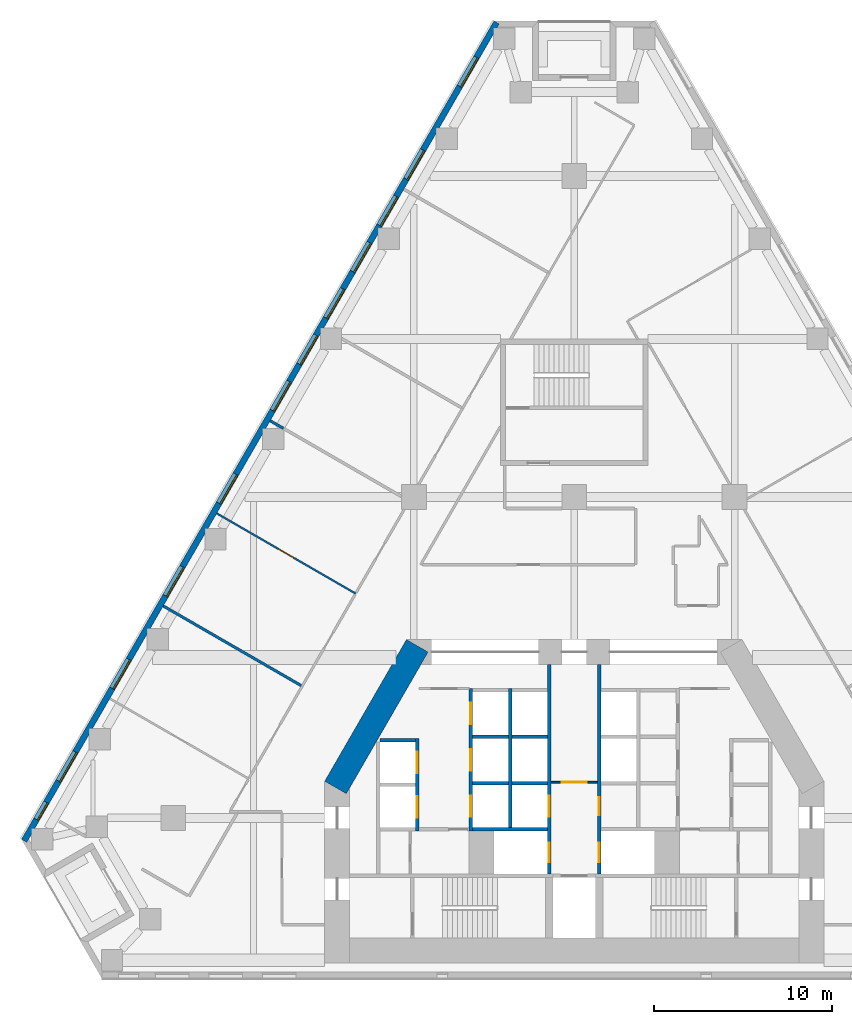
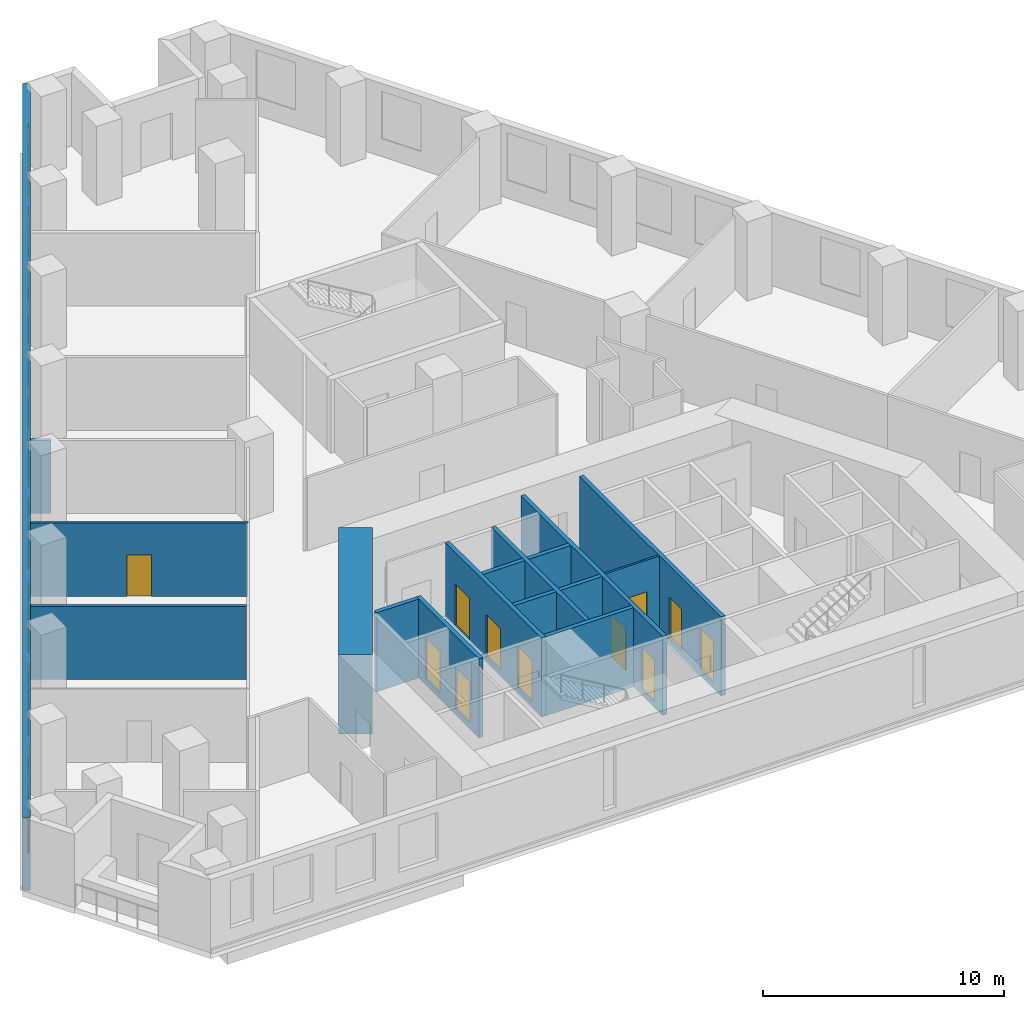
# One storey, part 4 of 9: 17 walls, 12 windows, 11 doors, 23 openings.
"""IFC4 building model written with IfcOpenShell, lengths in metres."""

from ifc_helpers import new_model, si_unit, direction, frame, frame_2d, origin, place, context, subcontext, project, spatial, rectangle, extrude, material, layer, layer_set, type_object, element, fill, save


model = new_model("IFC4")

# Units and contexts
model_context = context("Model", 3, precision=1e-05, world=origin(), true_north=direction((0.0, 1.0)))
body_context = subcontext(model_context, "Body", "Model", "MODEL_VIEW")
ifc_project = project(units=[si_unit("LENGTHUNIT", "METRE"), si_unit("AREAUNIT", "SQUARE_METRE"), si_unit("VOLUMEUNIT", "CUBIC_METRE"), si_unit("PLANEANGLEUNIT", "RADIAN"), si_unit("MASSUNIT", "GRAM", prefix="KILO")], contexts=[model_context])

# Site, building, storey
site_placement = place(None, origin())
site = spatial("IfcSite", under=ifc_project, at=site_placement, CompositionType="ELEMENT")
building_placement = place(site_placement, origin())
building = spatial("IfcBuilding", under=site, at=building_placement, Name="Fogline Exchange Tower", CompositionType="ELEMENT")
storey_placement = place(building_placement, frame((0.0, 0.0, 76.89990234375)))
storey = spatial("IfcBuildingStorey", under=building, at=storey_placement, Name="L16", CompositionType="ELEMENT", Elevation=76.89990234375)

# Wall, opening, door
ifc_material_1 = material(Name="Blockwork partition", Category="masonry")
ifc_layer_1 = layer(ifc_material_1, 0.10009765625)
ifc_layer_set_1 = layer_set([ifc_layer_1], Name="CW10")
wall_type_1 = type_object("IfcWallType", Name="CW10", PredefinedType="PARTITIONING", material=ifc_layer_set_1)
wall_1_placement = place(storey_placement, frame((-1.300048828125, 11.0, 0.0), z_axis=(0.0, 0.0, 1.0), x_axis=(1.0, 0.0, 0.0)))
wall_1 = element("IfcWall", 1, at=wall_1_placement, inside=storey, type_object=wall_type_1, Name="Lift lobby partition", PredefinedType="PARTITIONING", context=body_context, shape_type="SweptSolid", body=[
    extrude(rectangle(XDim=2.60009765625, YDim=0.10009765625, at=frame_2d((1.300048828125, 0.0))), origin(), (0.0, 0.0, 1.0), 3.7001953125),
])
opening_1_placement = place(wall_1_placement, frame((0.60009765625, 0.0, 0.0)))
opening_1 = element("IfcOpeningElement", 2, at=opening_1_placement, cuts=wall_1, Name="Opening T05-C019", PredefinedType="OPENING", context=body_context, shape_type="SweptSolid", body=[
    extrude(rectangle(XDim=1.39990234375, YDim=2.10009765625, at=frame_2d((0.699951171875, 1.050048828125))), frame((0.0, 0.06005859375, 0.0), z_axis=(0.0, -1.0, 0.0), x_axis=(1.0, 0.0, 0.0)), (0.0, 0.0, 1.0), 0.1201171875),
])
ifc_material_2 = material(Name="Steel and timber fire door", Category="steel")
door_type_1 = type_object("IfcDoorType", Name="D-LB1", OperationType="DOUBLE_DOOR_SINGLE_SWING", PredefinedType="DOOR", material=ifc_material_2)
door_1_placement = place(opening_1_placement, frame((1.39990234375, 0.0, 0.0), z_axis=(0.0, 0.0, 1.0), x_axis=(-1.0, 0.0, 0.0)))
door_1 = element("IfcDoor", 3, at=door_1_placement, inside=storey, type_object=door_type_1, Name="Door to firefighting lift lobby", OperationType="DOUBLE_DOOR_SINGLE_SWING", OverallHeight=2.10009765625, OverallWidth=1.39990234375, PredefinedType="DOOR", context=body_context, shape_type="SweptSolid", body=[
    extrude(rectangle(XDim=1.39990234375, YDim=2.10009765625, at=frame_2d((0.699951171875, 1.050048828125))), frame((0.0, 0.02490234375, 0.0), z_axis=(0.0, -1.0, 0.0), x_axis=(1.0, 0.0, 0.0)), (0.0, 0.0, 1.0), 0.050048828125),
])
fill(opening_1, door_1)

# Wall, openings, doors
ifc_material_3 = material(Name="Concrete C40", Category="concrete")
ifc_layer_2 = layer(ifc_material_3, 0.199951171875)
ifc_layer_set_2 = layer_set([ifc_layer_2], Name="CW20S")
wall_type_2 = type_object("IfcWallType", Name="CW20S", PredefinedType="SOLIDWALL", material=ifc_layer_set_2)
wall_2_placement = place(storey_placement, frame((-8.800048828125, 8.25, -0.2998046875), z_axis=(0.0, 0.0, 1.0), x_axis=(0.0, 1.0, 0.0)))
wall_2 = element("IfcWall", 4, at=wall_2_placement, inside=storey, type_object=wall_type_2, Name="Lift shaft wall", PredefinedType="SOLIDWALL", context=body_context, shape_type="SweptSolid", body=[
    extrude(rectangle(XDim=5.199951171875, YDim=0.199951171875, at=frame_2d((2.60009765625, 0.0))), origin(), (0.0, 0.0, 1.0), 4.0),
])
opening_2_placement = place(wall_2_placement, frame((0.75, 0.0, 0.300048828125)))
opening_2 = element("IfcOpeningElement", 5, at=opening_2_placement, cuts=wall_2, Name="Opening T05-LD01", PredefinedType="OPENING", context=body_context, shape_type="SweptSolid", body=[
    extrude(rectangle(XDim=1.199951171875, YDim=2.10009765625, at=frame_2d((0.60009765625, 1.050048828125))), frame((0.0, 0.10986328125, 0.0), z_axis=(0.0, -1.0, 0.0), x_axis=(1.0, 0.0, 0.0)), (0.0, 0.0, 1.0), 0.219970703125),
])
opening_3_placement = place(wall_2_placement, frame((3.25, 0.0, 0.300048828125)))
opening_3 = element("IfcOpeningElement", 6, at=opening_3_placement, cuts=wall_2, Name="Opening T05-LD02", PredefinedType="OPENING", context=body_context, shape_type="SweptSolid", body=[
    extrude(rectangle(XDim=1.199951171875, YDim=2.10009765625, at=frame_2d((0.60009765625, 1.050048828125))), frame((0.0, 0.10986328125, 0.0), z_axis=(0.0, -1.0, 0.0), x_axis=(1.0, 0.0, 0.0)), (0.0, 0.0, 1.0), 0.219970703125),
])
door_type_2 = type_object("IfcDoorType", Name="LD1", OperationType="SLIDING_TO_LEFT", PredefinedType="DOOR", material=ifc_material_2)
door_2_placement = place(opening_2_placement, origin())
door_2 = element("IfcDoor", 7, at=door_2_placement, inside=storey, type_object=door_type_2, Name="Landing door LR1", OperationType="SLIDING_TO_LEFT", OverallHeight=2.10009765625, OverallWidth=1.199951171875, PredefinedType="DOOR", context=body_context, shape_type="SweptSolid", body=[
    extrude(rectangle(XDim=1.199951171875, YDim=2.10009765625, at=frame_2d((0.60009765625, 1.050048828125))), frame((0.0, 0.02490234375, 0.0), z_axis=(0.0, -1.0, 0.0), x_axis=(1.0, 0.0, 0.0)), (0.0, 0.0, 1.0), 0.050048828125),
])
fill(opening_2, door_2)
door_3_placement = place(opening_3_placement, origin())
door_3 = element("IfcDoor", 8, at=door_3_placement, inside=storey, type_object=door_type_2, Name="Landing door LR2", OperationType="SLIDING_TO_LEFT", OverallHeight=2.10009765625, OverallWidth=1.199951171875, PredefinedType="DOOR", context=body_context, shape_type="SweptSolid", body=[
    extrude(rectangle(XDim=1.199951171875, YDim=2.10009765625, at=frame_2d((0.60009765625, 1.050048828125))), frame((0.0, 0.02490234375, 0.0), z_axis=(0.0, -1.0, 0.0), x_axis=(1.0, 0.0, 0.0)), (0.0, 0.0, 1.0), 0.050048828125),
])
fill(opening_3, door_3)

wall_3_placement = place(storey_placement, frame((-5.800048828125, 8.25, -0.2998046875), z_axis=(0.0, 0.0, 1.0), x_axis=(0.0, 1.0, 0.0)))
wall_3 = element("IfcWall", 9, at=wall_3_placement, inside=storey, type_object=wall_type_2, Name="Lift shaft wall", PredefinedType="SOLIDWALL", context=body_context, shape_type="SweptSolid", body=[
    extrude(rectangle(XDim=8.0, YDim=0.199951171875, at=frame_2d((4.0, 0.0))), origin(), (0.0, 0.0, 1.0), 4.0),
])
opening_4_placement = place(wall_3_placement, frame((0.800048828125, 0.0, 0.300048828125)))
opening_4 = element("IfcOpeningElement", 10, at=opening_4_placement, cuts=wall_3, Name="Opening T05-LD03", PredefinedType="OPENING", context=body_context, shape_type="SweptSolid", body=[
    extrude(rectangle(XDim=1.199951171875, YDim=2.10009765625, at=frame_2d((0.60009765625, 1.050048828125))), frame((0.0, 0.10986328125, 0.0), z_axis=(0.0, -1.0, 0.0), x_axis=(1.0, 0.0, 0.0)), (0.0, 0.0, 1.0), 0.219970703125),
])
opening_5_placement = place(wall_3_placement, frame((3.39990234375, 0.0, 0.300048828125)))
opening_5 = element("IfcOpeningElement", 11, at=opening_5_placement, cuts=wall_3, Name="Opening T05-LD04", PredefinedType="OPENING", context=body_context, shape_type="SweptSolid", body=[
    extrude(rectangle(XDim=1.199951171875, YDim=2.10009765625, at=frame_2d((0.60009765625, 1.050048828125))), frame((0.0, 0.10986328125, 0.0), z_axis=(0.0, -1.0, 0.0), x_axis=(1.0, 0.0, 0.0)), (0.0, 0.0, 1.0), 0.219970703125),
])
opening_6_placement = place(wall_3_placement, frame((6.0, 0.0, 0.300048828125)))
opening_6 = element("IfcOpeningElement", 12, at=opening_6_placement, cuts=wall_3, Name="Opening T05-LD05", PredefinedType="OPENING", context=body_context, shape_type="SweptSolid", body=[
    extrude(rectangle(XDim=1.199951171875, YDim=2.10009765625, at=frame_2d((0.60009765625, 1.050048828125))), frame((0.0, 0.10986328125, 0.0), z_axis=(0.0, -1.0, 0.0), x_axis=(1.0, 0.0, 0.0)), (0.0, 0.0, 1.0), 0.219970703125),
])
door_4_placement = place(opening_4_placement, origin())
door_4 = element("IfcDoor", 13, at=door_4_placement, inside=storey, type_object=door_type_2, Name="Landing door LR3", OperationType="SLIDING_TO_LEFT", OverallHeight=2.10009765625, OverallWidth=1.199951171875, PredefinedType="DOOR", context=body_context, shape_type="SweptSolid", body=[
    extrude(rectangle(XDim=1.199951171875, YDim=2.10009765625, at=frame_2d((0.60009765625, 1.050048828125))), frame((0.0, 0.02490234375, 0.0), z_axis=(0.0, -1.0, 0.0), x_axis=(1.0, 0.0, 0.0)), (0.0, 0.0, 1.0), 0.050048828125),
])
fill(opening_4, door_4)
door_5_placement = place(opening_5_placement, origin())
door_5 = element("IfcDoor", 14, at=door_5_placement, inside=storey, type_object=door_type_2, Name="Landing door LR4", OperationType="SLIDING_TO_LEFT", OverallHeight=2.10009765625, OverallWidth=1.199951171875, PredefinedType="DOOR", context=body_context, shape_type="SweptSolid", body=[
    extrude(rectangle(XDim=1.199951171875, YDim=2.10009765625, at=frame_2d((0.60009765625, 1.050048828125))), frame((0.0, 0.02490234375, 0.0), z_axis=(0.0, -1.0, 0.0), x_axis=(1.0, 0.0, 0.0)), (0.0, 0.0, 1.0), 0.050048828125),
])
fill(opening_5, door_5)
door_6_placement = place(opening_6_placement, origin())
door_6 = element("IfcDoor", 15, at=door_6_placement, inside=storey, type_object=door_type_2, Name="Landing door LR5", OperationType="SLIDING_TO_LEFT", OverallHeight=2.10009765625, OverallWidth=1.199951171875, PredefinedType="DOOR", context=body_context, shape_type="SweptSolid", body=[
    extrude(rectangle(XDim=1.199951171875, YDim=2.10009765625, at=frame_2d((0.60009765625, 1.050048828125))), frame((0.0, 0.02490234375, 0.0), z_axis=(0.0, -1.0, 0.0), x_axis=(1.0, 0.0, 0.0)), (0.0, 0.0, 1.0), 0.050048828125),
])
fill(opening_6, door_6)

# Wall
wall_4_placement = place(storey_placement, frame((-3.60009765625, 8.449951171875, -0.2998046875), z_axis=(0.0, 0.0, 1.0), x_axis=(0.0, 1.0, 0.0)))
element("IfcWall", 16, at=wall_4_placement, inside=storey, type_object=wall_type_2, Name="Lift shaft wall", PredefinedType="SOLIDWALL", context=body_context, shape_type="SweptSolid", body=[
    extrude(rectangle(XDim=7.800048828125, YDim=0.199951171875, at=frame_2d((3.89990234375, 0.0))), origin(), (0.0, 0.0, 1.0), 4.0),
])

# Wall, openings, doors
wall_5_placement = place(storey_placement, frame((-1.39990234375, 5.85009765625, -0.2998046875), z_axis=(0.0, 0.0, 1.0), x_axis=(0.0, 1.0, 0.0)))
wall_5 = element("IfcWall", 17, at=wall_5_placement, inside=storey, type_object=wall_type_2, Name="Lift lobby wall", PredefinedType="SOLIDWALL", context=body_context, shape_type="SweptSolid", body=[
    extrude(rectangle(XDim=11.75, YDim=0.199951171875, at=frame_2d((5.875, 0.0))), origin(), (0.0, 0.0, 1.0), 4.0),
])
opening_7_placement = place(wall_5_placement, frame((3.199951171875, 0.0, 0.300048828125)))
opening_7 = element("IfcOpeningElement", 18, at=opening_7_placement, cuts=wall_5, Name="Opening T05-LD06", PredefinedType="OPENING", context=body_context, shape_type="SweptSolid", body=[
    extrude(rectangle(XDim=1.199951171875, YDim=2.10009765625, at=frame_2d((0.60009765625, 1.050048828125))), frame((0.0, 0.10986328125, 0.0), z_axis=(0.0, -1.0, 0.0), x_axis=(1.0, 0.0, 0.0)), (0.0, 0.0, 1.0), 0.219970703125),
])
opening_8_placement = place(wall_5_placement, frame((0.64990234375, 0.0, 0.300048828125)))
opening_8 = element("IfcOpeningElement", 19, at=opening_8_placement, cuts=wall_5, Name="Opening T05-LD07", PredefinedType="OPENING", context=body_context, shape_type="SweptSolid", body=[
    extrude(rectangle(XDim=1.10009765625, YDim=2.10009765625, at=frame_2d((0.550048828125, 1.050048828125))), frame((0.0, 0.10986328125, 0.0), z_axis=(0.0, -1.0, 0.0), x_axis=(1.0, 0.0, 0.0)), (0.0, 0.0, 1.0), 0.219970703125),
])
door_7_placement = place(opening_7_placement, origin())
door_7 = element("IfcDoor", 20, at=door_7_placement, inside=storey, type_object=door_type_2, Name="Landing door LR6", OperationType="SLIDING_TO_LEFT", OverallHeight=2.10009765625, OverallWidth=1.199951171875, PredefinedType="DOOR", context=body_context, shape_type="SweptSolid", body=[
    extrude(rectangle(XDim=1.199951171875, YDim=2.10009765625, at=frame_2d((0.60009765625, 1.050048828125))), frame((0.0, 0.02490234375, 0.0), z_axis=(0.0, -1.0, 0.0), x_axis=(1.0, 0.0, 0.0)), (0.0, 0.0, 1.0), 0.050048828125),
])
fill(opening_7, door_7)
door_type_3 = type_object("IfcDoorType", Name="LD2", OperationType="SLIDING_TO_RIGHT", PredefinedType="DOOR", material=ifc_material_2)
door_8_placement = place(opening_8_placement, origin())
door_8 = element("IfcDoor", 21, at=door_8_placement, inside=storey, type_object=door_type_3, Name="Landing door FF1", OperationType="SLIDING_TO_RIGHT", OverallHeight=2.10009765625, OverallWidth=1.10009765625, PredefinedType="DOOR", context=body_context, shape_type="SweptSolid", body=[
    extrude(rectangle(XDim=1.10009765625, YDim=2.10009765625, at=frame_2d((0.550048828125, 1.050048828125))), frame((0.0, 0.02490234375, 0.0), z_axis=(0.0, -1.0, 0.0), x_axis=(1.0, 0.0, 0.0)), (0.0, 0.0, 1.0), 0.050048828125),
])
fill(opening_8, door_8)

wall_6_placement = place(storey_placement, frame((1.39990234375, 5.85009765625, -0.2998046875), z_axis=(0.0, 0.0, 1.0), x_axis=(0.0, 1.0, 0.0)))
wall_6 = element("IfcWall", 22, at=wall_6_placement, inside=storey, type_object=wall_type_2, Name="Lift lobby wall", PredefinedType="SOLIDWALL", context=body_context, shape_type="SweptSolid", body=[
    extrude(rectangle(XDim=11.75, YDim=0.199951171875, at=frame_2d((5.875, 0.0))), origin(), (0.0, 0.0, 1.0), 4.0),
])
opening_9_placement = place(wall_6_placement, frame((0.64990234375, 0.0, 0.300048828125)))
opening_9 = element("IfcOpeningElement", 23, at=opening_9_placement, cuts=wall_6, Name="Opening T05-LD08", PredefinedType="OPENING", context=body_context, shape_type="SweptSolid", body=[
    extrude(rectangle(XDim=1.10009765625, YDim=2.10009765625, at=frame_2d((0.550048828125, 1.050048828125))), frame((0.0, 0.10986328125, 0.0), z_axis=(0.0, -1.0, 0.0), x_axis=(1.0, 0.0, 0.0)), (0.0, 0.0, 1.0), 0.219970703125),
])
opening_10_placement = place(wall_6_placement, frame((3.300048828125, 0.0, 0.300048828125)))
opening_10 = element("IfcOpeningElement", 24, at=opening_10_placement, cuts=wall_6, Name="Opening T05-C006", PredefinedType="OPENING", context=body_context, shape_type="SweptSolid", body=[
    extrude(rectangle(XDim=1.0, YDim=2.10009765625, at=frame_2d((0.5, 1.050048828125))), frame((0.0, 0.10986328125, 0.0), z_axis=(0.0, -1.0, 0.0), x_axis=(1.0, 0.0, 0.0)), (0.0, 0.0, 1.0), 0.219970703125),
])
door_type_4 = type_object("IfcDoorType", Name="D-RM1", OperationType="SINGLE_SWING_LEFT", PredefinedType="DOOR", material=ifc_material_2)
door_9_placement = place(opening_10_placement, frame((1.0, 0.0, 0.0), z_axis=(0.0, 0.0, 1.0), x_axis=(-1.0, 0.0, 0.0)))
door_9 = element("IfcDoor", 25, at=door_9_placement, inside=storey, type_object=door_type_4, Name="Door to Riser Room", OperationType="SINGLE_SWING_RIGHT", OverallHeight=2.10009765625, OverallWidth=1.0, PredefinedType="DOOR", context=body_context, shape_type="SweptSolid", body=[
    extrude(rectangle(XDim=1.0, YDim=2.10009765625, at=frame_2d((0.5, 1.050048828125))), frame((0.0, 0.02490234375, 0.0), z_axis=(0.0, -1.0, 0.0), x_axis=(1.0, 0.0, 0.0)), (0.0, 0.0, 1.0), 0.050048828125),
])
fill(opening_10, door_9)
door_10_placement = place(opening_9_placement, origin())
door_10 = element("IfcDoor", 26, at=door_10_placement, inside=storey, type_object=door_type_3, Name="Landing door FF2", OperationType="SLIDING_TO_RIGHT", OverallHeight=2.10009765625, OverallWidth=1.10009765625, PredefinedType="DOOR", context=body_context, shape_type="SweptSolid", body=[
    extrude(rectangle(XDim=1.10009765625, YDim=2.10009765625, at=frame_2d((0.550048828125, 1.050048828125))), frame((0.0, 0.02490234375, 0.0), z_axis=(0.0, -1.0, 0.0), x_axis=(1.0, 0.0, 0.0)), (0.0, 0.0, 1.0), 0.050048828125),
])
fill(opening_9, door_10)

# Walls
wall_7_placement = place(storey_placement, frame((-5.699951171875, 8.35009765625, -0.2998046875), z_axis=(0.0, 0.0, 1.0), x_axis=(1.0, 0.0, 0.0)))
element("IfcWall", 27, at=wall_7_placement, inside=storey, type_object=wall_type_2, Name="Lift shaft wall", PredefinedType="SOLIDWALL", context=body_context, shape_type="SweptSolid", body=[
    extrude(rectangle(XDim=4.199951171875, YDim=0.199951171875, at=frame_2d((2.10009765625, 0.0))), origin(), (0.0, 0.0, 1.0), 4.0),
])
for number, where, z_axis, x_axis, name in (
    (28, (-10.89990234375, 13.35009765625, -0.2998046875), (0.0, 0.0, 1.0), (1.0, 0.0, 0.0), "Lift shaft wall"),
    (29, (-5.699951171875, 10.949951171875, -0.2998046875), (0.0, 0.0, 1.0), (1.0, 0.0, 0.0), "Lift shaft wall"),
    (30, (-5.699951171875, 13.550048828125, -0.2998046875), (0.0, 0.0, 1.0), (1.0, 0.0, 0.0), "Lift shaft wall"),
    (31, (-3.5, 10.949951171875, -0.2998046875), (0.0, 0.0, 1.0), (1.0, 0.0, 0.0), "Lift shaft wall"),
    (32, (-3.5, 13.550048828125, -0.2998046875), (0.0, 0.0, 1.0), (1.0, 0.0, 0.0), "Lift shaft wall"),
):
    element("IfcWall", number, at=place(storey_placement, frame(where, z_axis=z_axis, x_axis=x_axis)), inside=storey, type_object=wall_type_2, Name=name, PredefinedType="SOLIDWALL", context=body_context, shape_type="SweptSolid", body=[
        extrude(rectangle(XDim=2.0, YDim=0.199951171875, at=frame_2d((1.0, 0.0))), origin(), (0.0, 0.0, 1.0), 4.0),
    ])

# Wall, openings, windows
ifc_material_4 = material(Name="Brick masonry", Category="masonry")
ifc_layer_3 = layer(ifc_material_4, 0.340087890625)
ifc_layer_set_3 = layer_set([ifc_layer_3], Name="FW1")
wall_type_3 = type_object("IfcWallType", Name="FW1", PredefinedType="SOLIDWALL", material=ifc_layer_set_3)
wall_8_placement = place(storey_placement, frame((-4.352783203125, 53.626708984375, 0.0), z_axis=(0.0, 0.0, 1.0), x_axis=(-0.500000400847, -0.866025172355, 0.0)))
wall_8 = element("IfcWall", 33, at=wall_8_placement, inside=storey, type_object=wall_type_3, Name="Brick wall L16 W", PredefinedType="SOLIDWALL", context=body_context, shape_type="SweptSolid", body=[
    extrude(rectangle(XDim=53.02099609375, YDim=0.340087890625, at=frame_2d((26.510498046875, 0.0))), origin(), (0.0, 0.0, 1.0), 3.7001953125),
])
opening_11_placement = place(wall_8_placement, frame((2.265625, 0.0, 0.89990234375)))
opening_11 = element("IfcOpeningElement", 34, at=opening_11_placement, cuts=wall_8, Name="Opening W1", PredefinedType="OPENING", context=body_context, shape_type="SweptSolid", body=[
    extrude(rectangle(XDim=1.885009765625, YDim=2.39990234375, at=frame_2d((0.9423828125, 1.199951171875))), frame((0.0, 0.18017578125, 0.0), z_axis=(0.0, -1.0, 0.0), x_axis=(1.0, 0.0, 0.0)), (0.0, 0.0, 1.0), 0.360107421875),
])
opening_12_placement = place(wall_8_placement, frame((8.265625, 0.0, 0.89990234375)))
opening_12 = element("IfcOpeningElement", 35, at=opening_12_placement, cuts=wall_8, Name="Opening W1", PredefinedType="OPENING", context=body_context, shape_type="SweptSolid", body=[
    extrude(rectangle(XDim=1.885009765625, YDim=2.39990234375, at=frame_2d((0.9423828125, 1.199951171875))), frame((0.0, 0.18017578125, 0.0), z_axis=(0.0, -1.0, 0.0), x_axis=(1.0, 0.0, 0.0)), (0.0, 0.0, 1.0), 0.360107421875),
])
opening_13_placement = place(wall_8_placement, frame((11.265625, 0.0, 0.89990234375)))
opening_13 = element("IfcOpeningElement", 36, at=opening_13_placement, cuts=wall_8, Name="Opening W1", PredefinedType="OPENING", context=body_context, shape_type="SweptSolid", body=[
    extrude(rectangle(XDim=1.885009765625, YDim=2.39990234375, at=frame_2d((0.9423828125, 1.199951171875))), frame((0.0, 0.18017578125, 0.0), z_axis=(0.0, -1.0, 0.0), x_axis=(1.0, 0.0, 0.0)), (0.0, 0.0, 1.0), 0.360107421875),
])
opening_14_placement = place(wall_8_placement, frame((14.265625, 0.0, 0.89990234375)))
opening_14 = element("IfcOpeningElement", 37, at=opening_14_placement, cuts=wall_8, Name="Opening W1", PredefinedType="OPENING", context=body_context, shape_type="SweptSolid", body=[
    extrude(rectangle(XDim=1.885009765625, YDim=2.39990234375, at=frame_2d((0.9423828125, 1.199951171875))), frame((0.0, 0.18017578125, 0.0), z_axis=(0.0, -1.0, 0.0), x_axis=(1.0, 0.0, 0.0)), (0.0, 0.0, 1.0), 0.360107421875),
])
opening_15_placement = place(wall_8_placement, frame((17.265625, 0.0, 0.89990234375)))
opening_15 = element("IfcOpeningElement", 38, at=opening_15_placement, cuts=wall_8, Name="Opening W1", PredefinedType="OPENING", context=body_context, shape_type="SweptSolid", body=[
    extrude(rectangle(XDim=1.885009765625, YDim=2.39990234375, at=frame_2d((0.9423828125, 1.199951171875))), frame((0.0, 0.18017578125, 0.0), z_axis=(0.0, -1.0, 0.0), x_axis=(1.0, 0.0, 0.0)), (0.0, 0.0, 1.0), 0.360107421875),
])
opening_16_placement = place(wall_8_placement, frame((20.265625, 0.0, 0.89990234375)))
opening_16 = element("IfcOpeningElement", 39, at=opening_16_placement, cuts=wall_8, Name="Opening W1", PredefinedType="OPENING", context=body_context, shape_type="SweptSolid", body=[
    extrude(rectangle(XDim=1.885009765625, YDim=2.39990234375, at=frame_2d((0.9423828125, 1.199951171875))), frame((0.0, 0.18017578125, 0.0), z_axis=(0.0, -1.0, 0.0), x_axis=(1.0, 0.0, 0.0)), (0.0, 0.0, 1.0), 0.360107421875),
])
opening_17_placement = place(wall_8_placement, frame((23.265625, 0.0, 0.89990234375)))
opening_17 = element("IfcOpeningElement", 40, at=opening_17_placement, cuts=wall_8, Name="Opening W1", PredefinedType="OPENING", context=body_context, shape_type="SweptSolid", body=[
    extrude(rectangle(XDim=1.885009765625, YDim=2.39990234375, at=frame_2d((0.9423828125, 1.199951171875))), frame((0.0, 0.18017578125, 0.0), z_axis=(0.0, -1.0, 0.0), x_axis=(1.0, 0.0, 0.0)), (0.0, 0.0, 1.0), 0.360107421875),
])
opening_18_placement = place(wall_8_placement, frame((29.265625, 0.0, 0.89990234375)))
opening_18 = element("IfcOpeningElement", 41, at=opening_18_placement, cuts=wall_8, Name="Opening W1", PredefinedType="OPENING", context=body_context, shape_type="SweptSolid", body=[
    extrude(rectangle(XDim=1.885009765625, YDim=2.39990234375, at=frame_2d((0.9423828125, 1.199951171875))), frame((0.0, 0.18017578125, 0.0), z_axis=(0.0, -1.0, 0.0), x_axis=(1.0, 0.0, 0.0)), (0.0, 0.0, 1.0), 0.360107421875),
])
opening_19_placement = place(wall_8_placement, frame((35.265625, 0.0, 0.89990234375)))
opening_19 = element("IfcOpeningElement", 42, at=opening_19_placement, cuts=wall_8, Name="Opening W1", PredefinedType="OPENING", context=body_context, shape_type="SweptSolid", body=[
    extrude(rectangle(XDim=1.885009765625, YDim=2.39990234375, at=frame_2d((0.9423828125, 1.199951171875))), frame((0.0, 0.18017578125, 0.0), z_axis=(0.0, -1.0, 0.0), x_axis=(1.0, 0.0, 0.0)), (0.0, 0.0, 1.0), 0.360107421875),
])
opening_20_placement = place(wall_8_placement, frame((41.265625, 0.0, 0.89990234375)))
opening_20 = element("IfcOpeningElement", 43, at=opening_20_placement, cuts=wall_8, Name="Opening W1", PredefinedType="OPENING", context=body_context, shape_type="SweptSolid", body=[
    extrude(rectangle(XDim=1.885009765625, YDim=2.39990234375, at=frame_2d((0.9423828125, 1.199951171875))), frame((0.0, 0.18017578125, 0.0), z_axis=(0.0, -1.0, 0.0), x_axis=(1.0, 0.0, 0.0)), (0.0, 0.0, 1.0), 0.360107421875),
])
opening_21_placement = place(wall_8_placement, frame((47.265625, 0.0, 0.89990234375)))
opening_21 = element("IfcOpeningElement", 44, at=opening_21_placement, cuts=wall_8, Name="Opening W1", PredefinedType="OPENING", context=body_context, shape_type="SweptSolid", body=[
    extrude(rectangle(XDim=1.885009765625, YDim=2.39990234375, at=frame_2d((0.9423828125, 1.199951171875))), frame((0.0, 0.18017578125, 0.0), z_axis=(0.0, -1.0, 0.0), x_axis=(1.0, 0.0, 0.0)), (0.0, 0.0, 1.0), 0.360107421875),
])
opening_22_placement = place(wall_8_placement, frame((50.5283203125, 0.0, 0.89990234375)))
opening_22 = element("IfcOpeningElement", 45, at=opening_22_placement, cuts=wall_8, Name="Opening W4", PredefinedType="OPENING", context=body_context, shape_type="SweptSolid", body=[
    extrude(rectangle(XDim=1.114990234375, YDim=2.39990234375, at=frame_2d((0.5576171875, 1.199951171875))), frame((0.0, 0.18017578125, 0.0), z_axis=(0.0, -1.0, 0.0), x_axis=(1.0, 0.0, 0.0)), (0.0, 0.0, 1.0), 0.360107421875),
])
ifc_material_5 = material(Name="Aluminium and glass", Category="aluminium")
window_type_1 = type_object("IfcWindowType", Name="W1", PartitioningType="SINGLE_PANEL", PredefinedType="WINDOW", material=ifc_material_5)
window_1_placement = place(opening_11_placement, origin())
window_1 = element("IfcWindow", 46, at=window_1_placement, inside=storey, type_object=window_type_1, Name="W1 W1", OverallHeight=2.39990234375, OverallWidth=1.885009765625, PartitioningType="SINGLE_PANEL", PredefinedType="WINDOW", context=body_context, shape_type="SweptSolid", body=[
    extrude(rectangle(XDim=1.885009765625, YDim=2.39990234375, at=frame_2d((0.9423828125, 1.199951171875))), frame((0.0, 0.110107421875, 0.0), z_axis=(0.0, -1.0, 0.0), x_axis=(1.0, 0.0, 0.0)), (0.0, 0.0, 1.0), 0.06005859375),
])
fill(opening_11, window_1)
window_2_placement = place(opening_12_placement, origin())
window_2 = element("IfcWindow", 47, at=window_2_placement, inside=storey, type_object=window_type_1, Name="W1 W1", OverallHeight=2.39990234375, OverallWidth=1.885009765625, PartitioningType="SINGLE_PANEL", PredefinedType="WINDOW", context=body_context, shape_type="SweptSolid", body=[
    extrude(rectangle(XDim=1.885009765625, YDim=2.39990234375, at=frame_2d((0.9423828125, 1.199951171875))), frame((0.0, 0.110107421875, 0.0), z_axis=(0.0, -1.0, 0.0), x_axis=(1.0, 0.0, 0.0)), (0.0, 0.0, 1.0), 0.06005859375),
])
fill(opening_12, window_2)
window_3_placement = place(opening_13_placement, origin())
window_3 = element("IfcWindow", 48, at=window_3_placement, inside=storey, type_object=window_type_1, Name="W1 W1", OverallHeight=2.39990234375, OverallWidth=1.885009765625, PartitioningType="SINGLE_PANEL", PredefinedType="WINDOW", context=body_context, shape_type="SweptSolid", body=[
    extrude(rectangle(XDim=1.885009765625, YDim=2.39990234375, at=frame_2d((0.9423828125, 1.199951171875))), frame((0.0, 0.110107421875, 0.0), z_axis=(0.0, -1.0, 0.0), x_axis=(1.0, 0.0, 0.0)), (0.0, 0.0, 1.0), 0.06005859375),
])
fill(opening_13, window_3)
window_4_placement = place(opening_14_placement, origin())
window_4 = element("IfcWindow", 49, at=window_4_placement, inside=storey, type_object=window_type_1, Name="W1 W1", OverallHeight=2.39990234375, OverallWidth=1.885009765625, PartitioningType="SINGLE_PANEL", PredefinedType="WINDOW", context=body_context, shape_type="SweptSolid", body=[
    extrude(rectangle(XDim=1.885009765625, YDim=2.39990234375, at=frame_2d((0.9423828125, 1.199951171875))), frame((0.0, 0.110107421875, 0.0), z_axis=(0.0, -1.0, 0.0), x_axis=(1.0, 0.0, 0.0)), (0.0, 0.0, 1.0), 0.06005859375),
])
fill(opening_14, window_4)
window_5_placement = place(opening_15_placement, origin())
window_5 = element("IfcWindow", 50, at=window_5_placement, inside=storey, type_object=window_type_1, Name="W1 W1", OverallHeight=2.39990234375, OverallWidth=1.885009765625, PartitioningType="SINGLE_PANEL", PredefinedType="WINDOW", context=body_context, shape_type="SweptSolid", body=[
    extrude(rectangle(XDim=1.885009765625, YDim=2.39990234375, at=frame_2d((0.9423828125, 1.199951171875))), frame((0.0, 0.110107421875, 0.0), z_axis=(0.0, -1.0, 0.0), x_axis=(1.0, 0.0, 0.0)), (0.0, 0.0, 1.0), 0.06005859375),
])
fill(opening_15, window_5)
window_6_placement = place(opening_16_placement, origin())
window_6 = element("IfcWindow", 51, at=window_6_placement, inside=storey, type_object=window_type_1, Name="W1 W1", OverallHeight=2.39990234375, OverallWidth=1.885009765625, PartitioningType="SINGLE_PANEL", PredefinedType="WINDOW", context=body_context, shape_type="SweptSolid", body=[
    extrude(rectangle(XDim=1.885009765625, YDim=2.39990234375, at=frame_2d((0.9423828125, 1.199951171875))), frame((0.0, 0.110107421875, 0.0), z_axis=(0.0, -1.0, 0.0), x_axis=(1.0, 0.0, 0.0)), (0.0, 0.0, 1.0), 0.06005859375),
])
fill(opening_16, window_6)
window_7_placement = place(opening_17_placement, origin())
window_7 = element("IfcWindow", 52, at=window_7_placement, inside=storey, type_object=window_type_1, Name="W1 W1", OverallHeight=2.39990234375, OverallWidth=1.885009765625, PartitioningType="SINGLE_PANEL", PredefinedType="WINDOW", context=body_context, shape_type="SweptSolid", body=[
    extrude(rectangle(XDim=1.885009765625, YDim=2.39990234375, at=frame_2d((0.9423828125, 1.199951171875))), frame((0.0, 0.110107421875, 0.0), z_axis=(0.0, -1.0, 0.0), x_axis=(1.0, 0.0, 0.0)), (0.0, 0.0, 1.0), 0.06005859375),
])
fill(opening_17, window_7)
window_8_placement = place(opening_18_placement, origin())
window_8 = element("IfcWindow", 53, at=window_8_placement, inside=storey, type_object=window_type_1, Name="W1 W1", OverallHeight=2.39990234375, OverallWidth=1.885009765625, PartitioningType="SINGLE_PANEL", PredefinedType="WINDOW", context=body_context, shape_type="SweptSolid", body=[
    extrude(rectangle(XDim=1.885009765625, YDim=2.39990234375, at=frame_2d((0.9423828125, 1.199951171875))), frame((0.0, 0.110107421875, 0.0), z_axis=(0.0, -1.0, 0.0), x_axis=(1.0, 0.0, 0.0)), (0.0, 0.0, 1.0), 0.06005859375),
])
fill(opening_18, window_8)
window_9_placement = place(opening_19_placement, origin())
window_9 = element("IfcWindow", 54, at=window_9_placement, inside=storey, type_object=window_type_1, Name="W1 W1", OverallHeight=2.39990234375, OverallWidth=1.885009765625, PartitioningType="SINGLE_PANEL", PredefinedType="WINDOW", context=body_context, shape_type="SweptSolid", body=[
    extrude(rectangle(XDim=1.885009765625, YDim=2.39990234375, at=frame_2d((0.9423828125, 1.199951171875))), frame((0.0, 0.110107421875, 0.0), z_axis=(0.0, -1.0, 0.0), x_axis=(1.0, 0.0, 0.0)), (0.0, 0.0, 1.0), 0.06005859375),
])
fill(opening_19, window_9)
window_10_placement = place(opening_20_placement, origin())
window_10 = element("IfcWindow", 55, at=window_10_placement, inside=storey, type_object=window_type_1, Name="W1 W1", OverallHeight=2.39990234375, OverallWidth=1.885009765625, PartitioningType="SINGLE_PANEL", PredefinedType="WINDOW", context=body_context, shape_type="SweptSolid", body=[
    extrude(rectangle(XDim=1.885009765625, YDim=2.39990234375, at=frame_2d((0.9423828125, 1.199951171875))), frame((0.0, 0.110107421875, 0.0), z_axis=(0.0, -1.0, 0.0), x_axis=(1.0, 0.0, 0.0)), (0.0, 0.0, 1.0), 0.06005859375),
])
fill(opening_20, window_10)
window_11_placement = place(opening_21_placement, origin())
window_11 = element("IfcWindow", 56, at=window_11_placement, inside=storey, type_object=window_type_1, Name="W1 W1", OverallHeight=2.39990234375, OverallWidth=1.885009765625, PartitioningType="SINGLE_PANEL", PredefinedType="WINDOW", context=body_context, shape_type="SweptSolid", body=[
    extrude(rectangle(XDim=1.885009765625, YDim=2.39990234375, at=frame_2d((0.9423828125, 1.199951171875))), frame((0.0, 0.110107421875, 0.0), z_axis=(0.0, -1.0, 0.0), x_axis=(1.0, 0.0, 0.0)), (0.0, 0.0, 1.0), 0.06005859375),
])
fill(opening_21, window_11)
window_type_2 = type_object("IfcWindowType", Name="W4", PartitioningType="SINGLE_PANEL", PredefinedType="WINDOW", material=ifc_material_5)
window_12_placement = place(opening_22_placement, origin())
window_12 = element("IfcWindow", 57, at=window_12_placement, inside=storey, type_object=window_type_2, Name="W4 W4", OverallHeight=2.39990234375, OverallWidth=1.114990234375, PartitioningType="SINGLE_PANEL", PredefinedType="WINDOW", context=body_context, shape_type="SweptSolid", body=[
    extrude(rectangle(XDim=1.114990234375, YDim=2.39990234375, at=frame_2d((0.5576171875, 1.199951171875))), frame((0.0, 0.110107421875, 0.0), z_axis=(0.0, -1.0, 0.0), x_axis=(1.0, 0.0, 0.0)), (0.0, 0.0, 1.0), 0.06005859375),
])
fill(opening_22, window_12)

# Wall, opening, door
ifc_material_6 = material(Name="Plasterboard partition, 2 layers each side on steel studs", Category="steel")
ifc_layer_4 = layer(ifc_material_6, 0.10009765625)
ifc_layer_set_4 = layer_set([ifc_layer_4], Name="PW1")
wall_type_4 = type_object("IfcWallType", Name="PW1", PredefinedType="PARTITIONING", material=ifc_layer_set_4)
wall_9_placement = place(storey_placement, frame((-12.265380859375, 21.58154296875, 0.0), z_axis=(0.0, 0.0, 1.0), x_axis=(-0.866024315419, 0.5000018851, 0.0)))
wall_9 = element("IfcWall", 58, at=wall_9_placement, inside=storey, type_object=wall_type_4, Name="wall-L16-W044", PredefinedType="PARTITIONING", context=body_context, shape_type="SweptSolid", body=[
    extrude(rectangle(XDim=9.0, YDim=0.10009765625, at=frame_2d((4.5, 0.0))), origin(), (0.0, 0.0, 1.0), 3.7001953125),
])
opening_23_placement = place(wall_9_placement, frame((4.0, 0.0, 0.0)))
opening_23 = element("IfcOpeningElement", 59, at=opening_23_placement, cuts=wall_9, Name="Opening T05-D017", PredefinedType="OPENING", context=body_context, shape_type="SweptSolid", body=[
    extrude(rectangle(XDim=1.0, YDim=2.10009765625, at=frame_2d((0.5, 1.050048828125))), frame((0.0, 0.06005859375, 0.0), z_axis=(0.0, -1.0, 0.0), x_axis=(1.0, 0.0, 0.0)), (0.0, 0.0, 1.0), 0.1201171875),
])
ifc_material_7 = material(Name="Timber door leaf with steel frame", Category="steel")
door_type_5 = type_object("IfcDoorType", Name="D1", OperationType="SINGLE_SWING_LEFT", PredefinedType="DOOR", material=ifc_material_7)
door_11_placement = place(opening_23_placement, frame((1.0, 0.0, 0.0), z_axis=(0.0, 0.0, 1.0), x_axis=(-1.0, 0.0, 0.0)))
door_11 = element("IfcDoor", 60, at=door_11_placement, inside=storey, type_object=door_type_5, Name="door-L16-D017", OperationType="SINGLE_SWING_RIGHT", OverallHeight=2.10009765625, OverallWidth=1.0, PredefinedType="DOOR", context=body_context, shape_type="SweptSolid", body=[
    extrude(rectangle(XDim=1.0, YDim=2.10009765625, at=frame_2d((0.5, 1.050048828125))), frame((0.0, 0.02490234375, 0.0), z_axis=(0.0, -1.0, 0.0), x_axis=(1.0, 0.0, 0.0)), (0.0, 0.0, 1.0), 0.050048828125),
])
fill(opening_23, door_11)

# Walls
ifc_material_8 = material(Name="Plasterboard demising partition with mineral wool and acoustic board")
ifc_layer_5 = layer(ifc_material_8, 0.14990234375)
ifc_layer_set_5 = layer_set([ifc_layer_5], Name="PW3")
wall_type_5 = type_object("IfcWallType", Name="PW3", PredefinedType="PARTITIONING", material=ifc_layer_set_5)
wall_10_placement = place(storey_placement, frame((-16.323974609375, 30.852783203125, 0.0), z_axis=(0.0, 0.0, 1.0), x_axis=(-0.865970186426, 0.500095627077, 0.0)))
element("IfcWall", 61, at=wall_10_placement, inside=storey, type_object=wall_type_5, Name="wall-L16-W043", PredefinedType="PARTITIONING", context=body_context, shape_type="SweptSolid", body=[
    extrude(rectangle(XDim=0.849365234375, YDim=0.14990234375, at=frame_2d((0.4248046875, 0.0))), origin(), (0.0, 0.0, 1.0), 3.7001953125),
])
wall_11_placement = place(storey_placement, frame((-15.319580078125, 16.416748046875, 0.0), z_axis=(0.0, 0.0, 1.0), x_axis=(-0.866022276127, 0.500005417223, 0.0)))
element("IfcWall", 62, at=wall_11_placement, inside=storey, type_object=wall_type_5, Name="wall-L16-W045", PredefinedType="PARTITIONING", context=body_context, shape_type="SweptSolid", body=[
    extrude(rectangle(XDim=8.9375, YDim=0.14990234375, at=frame_2d((4.46875, 0.0))), origin(), (0.0, 0.0, 1.0), 3.7001953125),
])
ifc_material_9 = material(Name="Concrete C60", Category="concrete")
ifc_layer_6 = layer(ifc_material_9, 1.39990234375)
ifc_layer_set_6 = layer_set([ifc_layer_6], Name="SW01")
wall_type_6 = type_object("IfcWallType", Name="SW01", PredefinedType="SHEAR", material=ifc_layer_set_6)
wall_12_placement = place(storey_placement, frame((-8.805419921875, 18.64990234375, 0.0), z_axis=(0.0, 0.0, 1.0), x_axis=(-0.50000187635, -0.866024320471, 0.0)))
element("IfcWall", 63, at=wall_12_placement, inside=storey, type_object=wall_type_6, Name="L16-W905", PredefinedType="SHEAR", context=body_context, shape_type="SweptSolid", body=[
    extrude(rectangle(XDim=9.1767578125, YDim=1.39990234375, at=frame_2d((4.58837890625, 0.0))), origin(), (0.0, 0.0, 1.0), 4.0),
])

save(model, "model.ifc")
